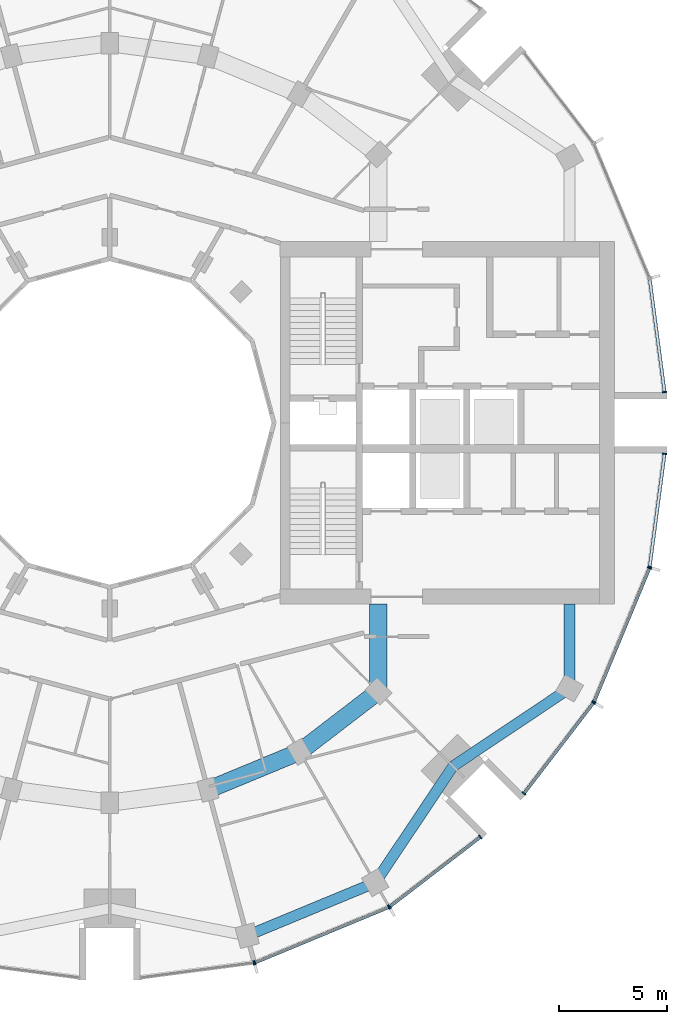
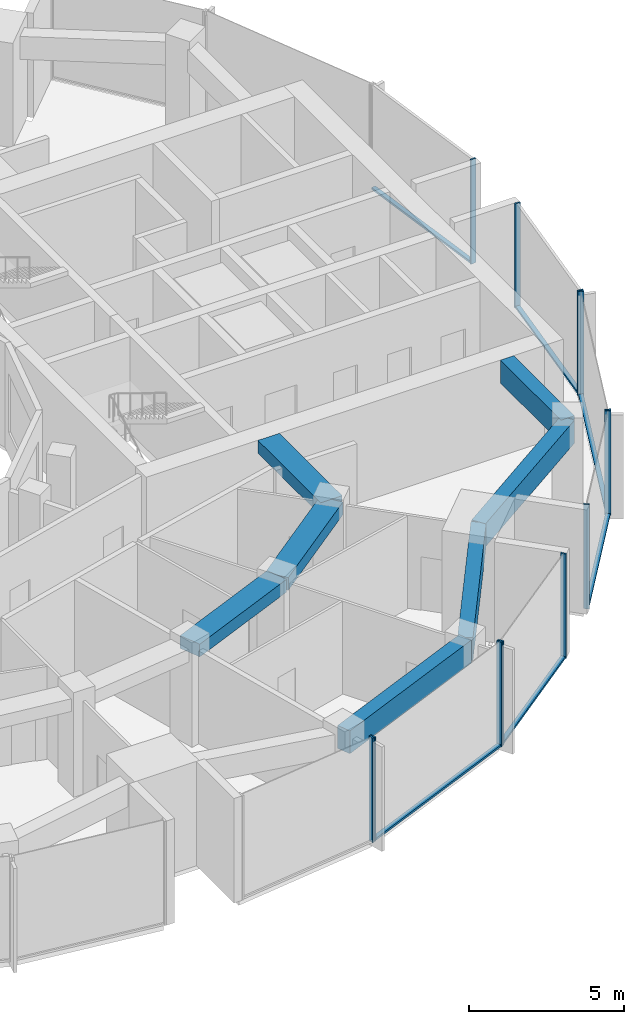
# One storey, part 4 of 15: 18 members, 7 beams, 7 elements without a shape of their own.
"""IFC4 building model written with IfcOpenShell, lengths in metres."""

import ifcopenshell
import ifcopenshell.guid

model = None  # the IFC model being written
_history = None  # IfcOwnerHistory: only IFC2X3 demands one
_inside = {}  # id of a spatial element -> (the spatial element, [elements in it])
_under = {}  # id of a project, library or spatial element -> (it, [spatial elements below it])
_declared = {}  # id of a project -> (the project, [libraries it declares])
_typed = {}  # id of a type object -> (the type object, [elements of that type])
_made_of = {}  # id of a material, layer set ... -> (it, [elements and type objects made of it])


def new_model(schema):
    """Start an empty IFC model of exactly this schema.

    Asked for "IFC4X3", IfcOpenShell would pick the latest addendum, in which some entities
    have other attributes; the version numbers below select the first issue.
    IFC2X3 requires an IfcOwnerHistory on every rooted entity: one is made here for all.
    """
    global model, _history
    if schema == "IFC4X3":
        model = ifcopenshell.file(schema_version=(4, 3, 0, 0))
    else:
        model = ifcopenshell.file(schema=schema)
    _inside.clear()
    _under.clear()
    _declared.clear()
    _typed.clear()
    _made_of.clear()
    _history = None
    if model.schema == "IFC2X3":
        org = make("IfcOrganization", Name="unknown")
        user = make(
            "IfcPersonAndOrganization",
            ThePerson=make("IfcPerson", FamilyName="unknown"),
            TheOrganization=org,
        )
        app = make(
            "IfcApplication",
            ApplicationDeveloper=org,
            Version="unknown",
            ApplicationFullName="unknown",
            ApplicationIdentifier="unknown",
        )
        _history = make(
            "IfcOwnerHistory",
            OwningUser=user,
            OwningApplication=app,
            ChangeAction="ADDED",
            CreationDate=0,
        )
    return model


def make(cls, **values):
    """One entity of the class cls with the attributes given. An attribute that is None is left unset."""
    return model.create_entity(
        cls, **{name: value for name, value in values.items() if value is not None}
    )


def rooted(cls, **values):
    """An entity with a GlobalId (a new one), such as an element, a storey or a relation."""
    return make(cls, GlobalId=ifcopenshell.guid.new(), OwnerHistory=_history, **values)


def si_unit(unit_type, name, prefix=None):
    """IfcSIUnit, for example si_unit("LENGTHUNIT", "METRE", prefix="MILLI")."""
    return make("IfcSIUnit", UnitType=unit_type, Prefix=prefix, Name=name)


def assignment(units):
    """IfcUnitAssignment: the units of a project."""
    return None if units is None else make("IfcUnitAssignment", Units=units)


def point(xyz):
    """IfcCartesianPoint."""
    return None if xyz is None else make("IfcCartesianPoint", Coordinates=xyz)


def direction(xyz):
    """IfcDirection."""
    return None if xyz is None else make("IfcDirection", DirectionRatios=xyz)


def frame(location, z_axis=None, x_axis=None):
    """IfcAxis2Placement3D, a coordinate frame: its origin and axes. An axis left out is left unset."""
    return make(
        "IfcAxis2Placement3D",
        Location=point(location),
        Axis=direction(z_axis),
        RefDirection=direction(x_axis),
    )


def frame_2d(location, x_axis=None):
    """IfcAxis2Placement2D, a coordinate frame in the plane: its origin and x axis."""
    return make(
        "IfcAxis2Placement2D", Location=point(location), RefDirection=direction(x_axis)
    )


def origin():
    """The frame at (0, 0, 0) with its axes left unset."""
    return frame((0.0, 0.0, 0.0))


def origin_2d():
    """The frame at (0, 0) in the plane with its x axis left unset."""
    return frame_2d((0.0, 0.0))


def place(relative_to, where):
    """IfcLocalPlacement: puts the frame where relative to a parent placement (None: the world)."""
    return make(
        "IfcLocalPlacement", PlacementRelTo=relative_to, RelativePlacement=where
    )


def context(
    kind, dimensions, precision=None, world=None, true_north=None, identifier=None
):
    """IfcGeometricRepresentationContext, for example the 3D "Model" context."""
    return make(
        "IfcGeometricRepresentationContext",
        ContextIdentifier=identifier,
        ContextType=kind,
        CoordinateSpaceDimension=dimensions,
        Precision=precision,
        WorldCoordinateSystem=world,
        TrueNorth=true_north,
    )


def subcontext(parent, identifier, kind, view, scale=None):
    """IfcGeometricRepresentationSubContext, for example "Body" below "Model"."""
    return make(
        "IfcGeometricRepresentationSubContext",
        ContextIdentifier=identifier,
        ContextType=kind,
        ParentContext=parent,
        TargetScale=scale,
        TargetView=view,
    )


def project(units=None, contexts=None):
    """IfcProject with its units and contexts."""
    return rooted(
        "IfcProject",
        Name="project",
        RepresentationContexts=contexts,
        UnitsInContext=assignment(units),
    )


def spatial(cls, under=None, at=None, **own):
    """A site, building, storey or space (cls), placed at a placement, below another one or the project."""
    s = rooted(cls, ObjectPlacement=at, **own)
    if under is not None:
        _under.setdefault(under.id(), (under, []))[1].append(s)
    return s


def profile(cls, at=None, kind="AREA", **sizes):
    """A parametric profile (cls). Its sizes go by their IFC names, for example OverallWidth=200.0."""
    return make(cls, ProfileType=kind, Position=at, **sizes)


def rectangle(**sizes):
    """IfcRectangleProfileDef."""
    return profile("IfcRectangleProfileDef", **sizes)


def extrude(swept, where, along, depth):
    """IfcExtrudedAreaSolid: the profile swept, set in the frame where, extruded along a direction by depth."""
    return make(
        "IfcExtrudedAreaSolid",
        SweptArea=swept,
        Position=where,
        ExtrudedDirection=direction(along),
        Depth=depth,
    )


def shape(context_of_items, identifier, shape_type, items):
    """IfcShapeRepresentation: the items that make up one representation, for example the "Body"."""
    return make(
        "IfcShapeRepresentation",
        ContextOfItems=context_of_items,
        RepresentationIdentifier=identifier,
        RepresentationType=shape_type,
        Items=items,
    )


def material(Name=None, Category=None):
    """IfcMaterial."""
    return make("IfcMaterial", Name=Name, Category=Category)


def layer(
    of_material, thickness, ventilated=None, Name=None, Category=None, Priority=None
):
    """IfcMaterialLayer: one layer of a wall or slab, of a material (None: an air gap)."""
    return make(
        "IfcMaterialLayer",
        Material=of_material,
        LayerThickness=thickness,
        IsVentilated=ventilated,
        Name=Name,
        Category=Category,
        Priority=Priority,
    )


def layer_set(layers, Name=None):
    """IfcMaterialLayerSet."""
    return make("IfcMaterialLayerSet", MaterialLayers=layers, LayerSetName=Name)


def material_profile(
    of_material, cross_section, Name=None, Category=None, Priority=None
):
    """IfcMaterialProfile: a cross section and its material."""
    return make(
        "IfcMaterialProfile",
        Name=Name,
        Material=of_material,
        Profile=cross_section,
        Priority=Priority,
        Category=Category,
    )


def profile_set(profiles, Name=None, composite=None):
    """IfcMaterialProfileSet."""
    return make(
        "IfcMaterialProfileSet",
        Name=Name,
        MaterialProfiles=profiles,
        CompositeProfile=composite,
    )


def made_of(thing, what):
    """Note that an element or type object is made of a material, layer set ...; save() writes the relation."""
    if what is not None:
        _made_of.setdefault(what.id(), (what, []))[1].append(thing)
    return thing


def type_object(cls, material=None, **own):
    """A type object (cls), such as IfcWallType, which elements share."""
    return made_of(rooted(cls, **own), material)


def element(
    cls,
    number,
    at=None,
    inside=None,
    cuts=None,
    type_object=None,
    material=None,
    context=None,
    identifier="Body",
    shape_type=None,
    held_by="IfcProductDefinitionShape",
    body=None,
    shapes=None,
    **own,
):
    """One element of the class cls, such as IfcWall. Its Tag is "e" and its number.

    at: its placement. inside: the storey or other place that contains it. cuts: it is an
    opening in that element (IfcRelVoidsElement). A single representation is given by context,
    identifier, shape_type and body (its items); several are given by shapes. held_by: the class
    of the entity that holds the representations. save() writes the other relations.
    """
    e = rooted(cls, Tag="e%d" % number, ObjectPlacement=at, **own)
    if body is not None:
        shapes = [shape(context, identifier, shape_type, body)]
    if shapes is not None:
        e.Representation = make(held_by, Representations=shapes)
    if inside is not None:
        _inside.setdefault(inside.id(), (inside, []))[1].append(e)
    if cuts is not None:
        rooted(
            "IfcRelVoidsElement", RelatingBuildingElement=cuts, RelatedOpeningElement=e
        )
    if type_object is not None:
        _typed.setdefault(type_object.id(), (type_object, []))[1].append(e)
    return made_of(e, material)


def aggregate(whole, parts):
    """IfcRelAggregates: a whole, such as a stair, and the parts it consists of."""
    return rooted("IfcRelAggregates", RelatingObject=whole, RelatedObjects=parts)


def save(model, path):
    """Write the relations noted so far, then the file.

    IfcRelAggregates (storeys below a building ...), IfcRelContainedInSpatialStructure (elements
    in a storey), IfcRelDefinesByType, IfcRelAssociatesMaterial and IfcRelDeclares: one each for
    every whole, place, type object, material and project.
    """
    for whole, parts in _under.values():
        aggregate(whole, parts)
    for where, things in _inside.values():
        rooted(
            "IfcRelContainedInSpatialStructure",
            RelatedElements=things,
            RelatingStructure=where,
        )
    for kind, things in _typed.values():
        rooted("IfcRelDefinesByType", RelatedObjects=things, RelatingType=kind)
    for what, things in _made_of.values():
        rooted("IfcRelAssociatesMaterial", RelatedObjects=things, RelatingMaterial=what)
    for by, libraries in _declared.values():
        rooted("IfcRelDeclares", RelatingContext=by, RelatedDefinitions=libraries)
    model.write(path)


model = new_model("IFC4")

# Units and contexts
model_context = context("Model", 3, precision=1e-05, world=origin(), true_north=direction((0.0, 1.0)))
body_context = subcontext(model_context, "Body", "Model", "MODEL_VIEW")
ifc_project = project(units=[si_unit("LENGTHUNIT", "METRE"), si_unit("AREAUNIT", "SQUARE_METRE"), si_unit("VOLUMEUNIT", "CUBIC_METRE"), si_unit("PLANEANGLEUNIT", "RADIAN"), si_unit("MASSUNIT", "GRAM", prefix="KILO")], contexts=[model_context])

# Site, building, storey
site_placement = place(None, origin())
site = spatial("IfcSite", under=ifc_project, at=site_placement, CompositionType="ELEMENT")
building_placement = place(site_placement, origin())
building = spatial("IfcBuilding", under=site, at=building_placement, Name="Torre Brocal", CompositionType="ELEMENT")
storey_placement = place(building_placement, frame((0.0, 0.0, 182.300048828125)))
storey = spatial("IfcBuildingStorey", under=building, at=storey_placement, Name="L42", CompositionType="ELEMENT", Elevation=182.300048828125)

# Curtain wall, member
ifc_material_1 = material(Name="Aluminium and glass", Category="aluminium")
ifc_layer_1 = layer(ifc_material_1, 0.199951171875)
ifc_layer_set_1 = layer_set([ifc_layer_1], Name="Aluminium and glass")
curtain_wall_type_1 = type_object("IfcCurtainWallType", Name="CW-1 CURTAIN WALL 4100 HIGH", PredefinedType="NOTDEFINED", material=ifc_layer_set_1)
curtain_wall_1_placement = place(storey_placement, origin())
curtain_wall_1 = element("IfcCurtainWall", 1, at=curtain_wall_1_placement, inside=storey, type_object=curtain_wall_type_1, Name="CW-1 RUN 19", PredefinedType="NOTDEFINED")
ifc_material_2 = material(Name="Aluminium, dark anodised", Category="aluminium")
ifc_material_profile_1 = material_profile(ifc_material_2, rectangle(XDim=0.199951171875, YDim=0.06005859375, at=origin_2d()), Name="CW-1 MULLION 60X200")
ifc_profile_set_1 = profile_set([ifc_material_profile_1], Name="Aluminium, dark anodised")
member_type_1 = type_object("IfcMemberType", Name="CW-1 MULLION 60X200", PredefinedType="MULLION", material=ifc_profile_set_1)
member_1_placement = place(storey_placement, frame((86.67333984375, 49.9794921875, 0.0), z_axis=(0.0, 0.0, 1.0), x_axis=(-0.13052619222, 0.991444861374, 0.0)))
member_1 = element("IfcMember", 2, at=member_1_placement, type_object=member_type_1, Name="CW1-4 mullion 2", PredefinedType="MULLION", context=body_context, shape_type="SweptSolid", body=[
    extrude(rectangle(XDim=0.199951171875, YDim=0.06005859375, at=origin_2d()), origin(), (0.0, 0.0, 1.0), 4.099853515625),
])
aggregate(curtain_wall_1, [member_1])

# Curtain wall, members
curtain_wall_2_placement = place(storey_placement, origin())
curtain_wall_2 = element("IfcCurtainWall", 3, at=curtain_wall_2_placement, inside=storey, type_object=curtain_wall_type_1, Name="CW-1 RUN 20", PredefinedType="NOTDEFINED")
member_2_placement = place(storey_placement, frame((86.73095703125, 49.994873046875, 0.0), z_axis=(0.0, 0.0, 1.0), x_axis=(-0.382683432333, 0.923879532525, 0.0)))
member_2 = element("IfcMember", 4, at=member_2_placement, type_object=member_type_1, Name="CW1-4 mullion 1", PredefinedType="MULLION", context=body_context, shape_type="SweptSolid", body=[
    extrude(rectangle(XDim=0.199951171875, YDim=0.06005859375, at=origin_2d()), origin(), (0.0, 0.0, 1.0), 4.099853515625),
])
member_3_placement = place(storey_placement, frame((92.921875, 52.559326171875, 0.0), z_axis=(0.0, 0.0, 1.0), x_axis=(-0.382683432333, 0.923879532525, 0.0)))
member_3 = element("IfcMember", 5, at=member_3_placement, type_object=member_type_1, Name="CW1-4 mullion 2", PredefinedType="MULLION", context=body_context, shape_type="SweptSolid", body=[
    extrude(rectangle(XDim=0.199951171875, YDim=0.06005859375, at=origin_2d()), origin(), (0.0, 0.0, 1.0), 4.099853515625),
])

curtain_wall_3_placement = place(storey_placement, origin())
curtain_wall_3 = element("IfcCurtainWall", 6, at=curtain_wall_3_placement, inside=storey, type_object=curtain_wall_type_1, Name="CW-1 RUN 21", PredefinedType="NOTDEFINED")
member_4_placement = place(storey_placement, frame((92.973388671875, 52.5888671875, 0.0), z_axis=(0.0, 0.0, 1.0), x_axis=(-0.60876142905, 0.793353340259, 0.0)))
member_4 = element("IfcMember", 7, at=member_4_placement, type_object=member_type_1, Name="CW1-4 mullion 1", PredefinedType="MULLION", context=body_context, shape_type="SweptSolid", body=[
    extrude(rectangle(XDim=0.199951171875, YDim=0.06005859375, at=origin_2d()), origin(), (0.0, 0.0, 1.0), 4.099853515625),
])
member_5_placement = place(storey_placement, frame((97.16943359375, 55.80859375, 0.0), z_axis=(0.0, 0.0, 1.0), x_axis=(-0.60876142905, 0.793353340259, 0.0)))
member_5 = element("IfcMember", 8, at=member_5_placement, type_object=member_type_1, Name="CW1-4 mullion 2", PredefinedType="MULLION", context=body_context, shape_type="SweptSolid", body=[
    extrude(rectangle(XDim=0.199951171875, YDim=0.06005859375, at=origin_2d()), origin(), (0.0, 0.0, 1.0), 4.099853515625),
])

curtain_wall_4_placement = place(storey_placement, origin())
curtain_wall_4 = element("IfcCurtainWall", 9, at=curtain_wall_4_placement, inside=storey, type_object=curtain_wall_type_1, Name="CW-1 RUN 22", PredefinedType="NOTDEFINED")
member_6_placement = place(storey_placement, frame((99.19140625, 57.83056640625, 0.0), z_axis=(0.0, 0.0, 1.0), x_axis=(-0.793353340259, 0.60876142905, 0.0)))
member_6 = element("IfcMember", 10, at=member_6_placement, type_object=member_type_1, Name="CW1-4 mullion 1", PredefinedType="MULLION", context=body_context, shape_type="SweptSolid", body=[
    extrude(rectangle(XDim=0.199951171875, YDim=0.06005859375, at=origin_2d()), origin(), (0.0, 0.0, 1.0), 4.099853515625),
])
member_7_placement = place(storey_placement, frame((102.4111328125, 62.026611328125, 0.0), z_axis=(0.0, 0.0, 1.0), x_axis=(-0.793353340259, 0.60876142905, 0.0)))
member_7 = element("IfcMember", 11, at=member_7_placement, type_object=member_type_1, Name="CW1-4 mullion 2", PredefinedType="MULLION", context=body_context, shape_type="SweptSolid", body=[
    extrude(rectangle(XDim=0.199951171875, YDim=0.06005859375, at=origin_2d()), origin(), (0.0, 0.0, 1.0), 4.099853515625),
])

curtain_wall_5_placement = place(storey_placement, origin())
curtain_wall_5 = element("IfcCurtainWall", 12, at=curtain_wall_5_placement, inside=storey, type_object=curtain_wall_type_1, Name="CW-1 RUN 23", PredefinedType="NOTDEFINED")
member_8_placement = place(storey_placement, frame((102.440673828125, 62.078125, 0.0), z_axis=(0.0, 0.0, 1.0), x_axis=(-0.923879532525, 0.382683432333, 0.0)))
member_8 = element("IfcMember", 13, at=member_8_placement, type_object=member_type_1, Name="CW1-4 mullion 1", PredefinedType="MULLION", context=body_context, shape_type="SweptSolid", body=[
    extrude(rectangle(XDim=0.199951171875, YDim=0.06005859375, at=origin_2d()), origin(), (0.0, 0.0, 1.0), 4.099853515625),
])
member_9_placement = place(storey_placement, frame((105.005126953125, 68.26904296875, 0.0), z_axis=(0.0, 0.0, 1.0), x_axis=(-0.923879532525, 0.382683432333, 0.0)))
member_9 = element("IfcMember", 14, at=member_9_placement, type_object=member_type_1, Name="CW1-4 mullion 2", PredefinedType="MULLION", context=body_context, shape_type="SweptSolid", body=[
    extrude(rectangle(XDim=0.199951171875, YDim=0.06005859375, at=origin_2d()), origin(), (0.0, 0.0, 1.0), 4.099853515625),
])

# Member
ifc_material_3 = material(Name="Aluminium, dark anodised", Category="aluminium")
ifc_material_profile_2 = material_profile(ifc_material_3, rectangle(XDim=0.159912109375, YDim=0.080078125, at=origin_2d()), Name="CW-1 TRANSOM 160X80")
ifc_profile_set_2 = profile_set([ifc_material_profile_2], Name="Aluminium, dark anodised")
member_type_2 = type_object("IfcMemberType", Name="CW-1 TRANSOM 160X80", PredefinedType="USERDEFINED", material=ifc_profile_set_2)
member_10_placement = place(storey_placement, frame((86.758544921875, 50.00634765625, 0.0400390625), z_axis=(0.923887344364, 0.38266457234, 0.0), x_axis=(-0.38266457234, 0.923887344364, 0.0)))
member_10 = element("IfcMember", 15, at=member_10_placement, type_object=member_type_2, Name="CW1-4 transom 1.1", ObjectType="TRANSOM", PredefinedType="USERDEFINED", context=body_context, shape_type="SweptSolid", body=[
    extrude(rectangle(XDim=0.159912109375, YDim=0.080078125, at=origin_2d()), origin(), (0.0, 0.0, 1.0), 6.640869140625),
])

aggregate(curtain_wall_2, [member_2, member_3, member_10])

member_11_placement = place(storey_placement, frame((92.9970703125, 52.607177734375, 0.0400390625), z_axis=(0.79336281513, 0.60874908096, 0.0), x_axis=(-0.60874908096, 0.79336281513, 0.0)))
member_11 = element("IfcMember", 16, at=member_11_placement, type_object=member_type_2, Name="CW1-4 transom 1.1", ObjectType="TRANSOM", PredefinedType="USERDEFINED", context=body_context, shape_type="SweptSolid", body=[
    extrude(rectangle(XDim=0.159912109375, YDim=0.080078125, at=origin_2d()), origin(), (0.0, 0.0, 1.0), 5.22900390625),
])

aggregate(curtain_wall_3, [member_4, member_5, member_11])

member_12_placement = place(storey_placement, frame((99.209716796875, 57.8544921875, 0.0400390625), z_axis=(0.60874908096, 0.79336281513, 0.0), x_axis=(-0.79336281513, 0.60874908096, 0.0)))
member_12 = element("IfcMember", 17, at=member_12_placement, type_object=member_type_2, Name="CW1-4 transom 1.1", ObjectType="TRANSOM", PredefinedType="USERDEFINED", context=body_context, shape_type="SweptSolid", body=[
    extrude(rectangle(XDim=0.159912109375, YDim=0.080078125, at=origin_2d()), origin(), (0.0, 0.0, 1.0), 5.22900390625),
])

aggregate(curtain_wall_4, [member_6, member_7, member_12])

member_13_placement = place(storey_placement, frame((102.452392578125, 62.10595703125, 0.0400390625), z_axis=(0.38266457234, 0.923887344364, 0.0), x_axis=(-0.923887344364, 0.38266457234, 0.0)))
member_13 = element("IfcMember", 18, at=member_13_placement, type_object=member_type_2, Name="CW1-4 transom 1.1", ObjectType="TRANSOM", PredefinedType="USERDEFINED", context=body_context, shape_type="SweptSolid", body=[
    extrude(rectangle(XDim=0.159912109375, YDim=0.080078125, at=origin_2d()), origin(), (0.0, 0.0, 1.0), 6.640869140625),
])

aggregate(curtain_wall_5, [member_8, member_9, member_13])

# Curtain wall, member
ifc_material_4 = material(Name="Aluminium and glass", Category="aluminium")
ifc_layer_2 = layer(ifc_material_4, 0.199951171875)
ifc_layer_set_2 = layer_set([ifc_layer_2], Name="Aluminium and glass")
curtain_wall_type_2 = type_object("IfcCurtainWallType", Name="CW-1B CURTAIN WALL 4100 HIGH", PredefinedType="NOTDEFINED", material=ifc_layer_set_2)
curtain_wall_6_placement = place(storey_placement, origin())
curtain_wall_6 = element("IfcCurtainWall", 19, at=curtain_wall_6_placement, inside=storey, type_object=curtain_wall_type_2, Name="CW-1B RUN 1", PredefinedType="NOTDEFINED")
ifc_material_5 = material(Name="Aluminium, dark anodised", Category="aluminium")
ifc_material_profile_3 = material_profile(ifc_material_5, rectangle(XDim=0.199951171875, YDim=0.06005859375, at=origin_2d()), Name="CW-1B MULLION 60X200")
ifc_profile_set_3 = profile_set([ifc_material_profile_3], Name="Aluminium, dark anodised")
member_type_3 = type_object("IfcMemberType", Name="CW-1B MULLION 60X200", PredefinedType="MULLION", material=ifc_profile_set_3)
member_14_placement = place(storey_placement, frame((105.7109375, 76.4296875, 0.0), z_axis=(0.0, 0.0, 1.0), x_axis=(-0.991444861374, -0.13052619222, 0.0)))
member_14 = element("IfcMember", 20, at=member_14_placement, type_object=member_type_3, Name="CW1B-4 mullion 1", PredefinedType="MULLION", context=body_context, shape_type="SweptSolid", body=[
    extrude(rectangle(XDim=0.199951171875, YDim=0.06005859375, at=origin_2d()), origin(), (0.0, 0.0, 1.0), 4.099853515625),
])

# Curtain wall, members
curtain_wall_7_placement = place(storey_placement, origin())
curtain_wall_7 = element("IfcCurtainWall", 21, at=curtain_wall_7_placement, inside=storey, type_object=curtain_wall_type_2, Name="CW-1B RUN 24", PredefinedType="NOTDEFINED")
member_15_placement = place(storey_placement, frame((105.0205078125, 68.32666015625, 0.0), z_axis=(0.0, 0.0, 1.0), x_axis=(-0.991444861374, 0.13052619222, 0.0)))
member_15 = element("IfcMember", 22, at=member_15_placement, type_object=member_type_3, Name="CW1B-4 mullion 1", PredefinedType="MULLION", context=body_context, shape_type="SweptSolid", body=[
    extrude(rectangle(XDim=0.199951171875, YDim=0.06005859375, at=origin_2d()), origin(), (0.0, 0.0, 1.0), 4.099853515625),
])
member_16_placement = place(storey_placement, frame((105.7109375, 73.5703125, 0.0), z_axis=(0.0, 0.0, 1.0), x_axis=(-0.991444861374, 0.13052619222, 0.0)))
member_16 = element("IfcMember", 23, at=member_16_placement, type_object=member_type_3, Name="CW1B-4 mullion 2", PredefinedType="MULLION", context=body_context, shape_type="SweptSolid", body=[
    extrude(rectangle(XDim=0.199951171875, YDim=0.06005859375, at=origin_2d()), origin(), (0.0, 0.0, 1.0), 4.099853515625),
])

# Member
ifc_material_6 = material(Name="Aluminium, dark anodised", Category="aluminium")
ifc_material_profile_4 = material_profile(ifc_material_6, rectangle(XDim=0.159912109375, YDim=0.080078125, at=origin_2d()), Name="CW-1B TRANSOM 160X80")
ifc_profile_set_4 = profile_set([ifc_material_profile_4], Name="Aluminium, dark anodised")
member_type_4 = type_object("IfcMemberType", Name="CW-1B TRANSOM 160X80", PredefinedType="USERDEFINED", material=ifc_profile_set_4)
member_17_placement = place(storey_placement, frame((105.70703125, 76.45947265625, 0.0400390625), z_axis=(-0.130542677827, 0.991442690863, 0.0), x_axis=(-0.991442690863, -0.130542677827, 0.0)))
member_17 = element("IfcMember", 24, at=member_17_placement, type_object=member_type_4, Name="CW1B-4 transom 1.1", ObjectType="TRANSOM", PredefinedType="USERDEFINED", context=body_context, shape_type="SweptSolid", body=[
    extrude(rectangle(XDim=0.159912109375, YDim=0.080078125, at=origin_2d()), origin(), (0.0, 0.0, 1.0), 5.22900390625),
])

aggregate(curtain_wall_6, [member_14, member_17])

member_18_placement = place(storey_placement, frame((105.0244140625, 68.356201171875, 0.0400390625), z_axis=(0.130542677827, 0.991442690863, 0.0), x_axis=(-0.991442690863, 0.130542677827, 0.0)))
member_18 = element("IfcMember", 25, at=member_18_placement, type_object=member_type_4, Name="CW1B-4 transom 1.1", ObjectType="TRANSOM", PredefinedType="USERDEFINED", context=body_context, shape_type="SweptSolid", body=[
    extrude(rectangle(XDim=0.159912109375, YDim=0.080078125, at=origin_2d()), origin(), (0.0, 0.0, 1.0), 5.22900390625),
])

aggregate(curtain_wall_7, [member_15, member_16, member_18])

# Beams
ifc_material_7 = material(Name="Concrete C50", Category="concrete")
ifc_material_profile_5 = material_profile(ifc_material_7, rectangle(XDim=0.800048828125, YDim=0.5, at=origin_2d()), Name="RC 800X500")
ifc_profile_set_5 = profile_set([ifc_material_profile_5], Name="Concrete C50")
beam_type_1 = type_object("IfcBeamType", Name="RC BEAM 800X500 C50 TOP 3780", PredefinedType="BEAM", material=ifc_profile_set_5)
beam_1_placement = place(storey_placement, frame((84.55517578125, 57.999755859375, 3.530029296875), z_axis=(0.923878240166, 0.382686552348, 0.0), x_axis=(-0.382686552348, 0.923878240166, 0.0)))
element("IfcBeam", 26, at=beam_1_placement, inside=storey, type_object=beam_type_1, Name="Beam BT-32", PredefinedType="BEAM", context=body_context, shape_type="SweptSolid", body=[
    extrude(rectangle(XDim=0.800048828125, YDim=0.5, at=origin_2d()), origin(), (0.0, 0.0, 1.0), 4.5947265625),
])
beam_2_placement = place(storey_placement, frame((88.800048828125, 59.758056640625, 3.530029296875), z_axis=(0.793358265959, 0.6087550097, 0.0), x_axis=(-0.6087550097, 0.793358265959, 0.0)))
element("IfcBeam", 27, at=beam_2_placement, inside=storey, type_object=beam_type_1, Name="Beam BT-32", PredefinedType="BEAM", context=body_context, shape_type="SweptSolid", body=[
    extrude(rectangle(XDim=0.800048828125, YDim=0.5, at=origin_2d()), origin(), (0.0, 0.0, 1.0), 4.594482421875),
])
beam_3_placement = place(storey_placement, frame((92.445068359375, 62.554931640625, 3.530029296875), z_axis=(0.0, 1.0, 0.0), x_axis=(-1.0, 0.0, 0.0)))
element("IfcBeam", 28, at=beam_3_placement, inside=storey, type_object=beam_type_1, Name="Beam BT-32", PredefinedType="BEAM", context=body_context, shape_type="SweptSolid", body=[
    extrude(rectangle(XDim=0.800048828125, YDim=0.5, at=origin_2d()), origin(), (0.0, 0.0, 1.0), 4.045166015625),
])
ifc_material_8 = material(Name="Concrete C50", Category="concrete")
ifc_material_profile_6 = material_profile(ifc_material_8, rectangle(XDim=0.5, YDim=0.89990234375, at=origin_2d()), Name="RC 500X900")
ifc_profile_set_6 = profile_set([ifc_material_profile_6], Name="Concrete C50")
beam_type_2 = type_object("IfcBeamType", Name="RC SPANDREL BEAM 500X900 C50 TOP 3780", PredefinedType="SPANDREL", material=ifc_profile_set_6)
beam_4_placement = place(storey_placement, frame((86.366943359375, 51.23828125, 3.329833984375), z_axis=(0.923882462513, 0.382676358639, 0.0), x_axis=(-0.382676358639, 0.923882462513, 0.0)))
element("IfcBeam", 29, at=beam_4_placement, inside=storey, type_object=beam_type_2, Name="Beam BT-33", PredefinedType="SPANDREL", context=body_context, shape_type="SweptSolid", body=[
    extrude(rectangle(XDim=0.5, YDim=0.89990234375, at=origin_2d()), origin(), (0.0, 0.0, 1.0), 6.421875),
])
for number, where, z_axis, x_axis, name in (
    (30, (92.300048828125, 53.69580078125, 3.329833984375), (0.556157602282, 0.831076844476, 0.0), (-0.831076844476, 0.556157602282, 0.0), "Beam BT-33"),
    (31, (95.909912109375, 59.090087890625, 3.329833984375), (0.831076844476, 0.556157602282, 0.0), (-0.556157602282, 0.831076844476, 0.0), "Beam BT-33"),
):
    element("IfcBeam", number, at=place(storey_placement, frame(where, z_axis=z_axis, x_axis=x_axis)), inside=storey, type_object=beam_type_2, Name=name, PredefinedType="SPANDREL", context=body_context, shape_type="SweptSolid", body=[
        extrude(rectangle(XDim=0.5, YDim=0.89990234375, at=origin_2d()), origin(), (0.0, 0.0, 1.0), 6.49072265625),
    ])
beam_5_placement = place(storey_placement, frame((101.30419921875, 62.699951171875, 3.329833984375), z_axis=(0.0, 1.0, 0.0), x_axis=(-1.0, 0.0, 0.0)))
element("IfcBeam", 32, at=beam_5_placement, inside=storey, type_object=beam_type_2, Name="Beam BT-33", PredefinedType="SPANDREL", context=body_context, shape_type="SweptSolid", body=[
    extrude(rectangle(XDim=0.5, YDim=0.89990234375, at=origin_2d()), origin(), (0.0, 0.0, 1.0), 3.900146484375),
])

save(model, "model.ifc")
